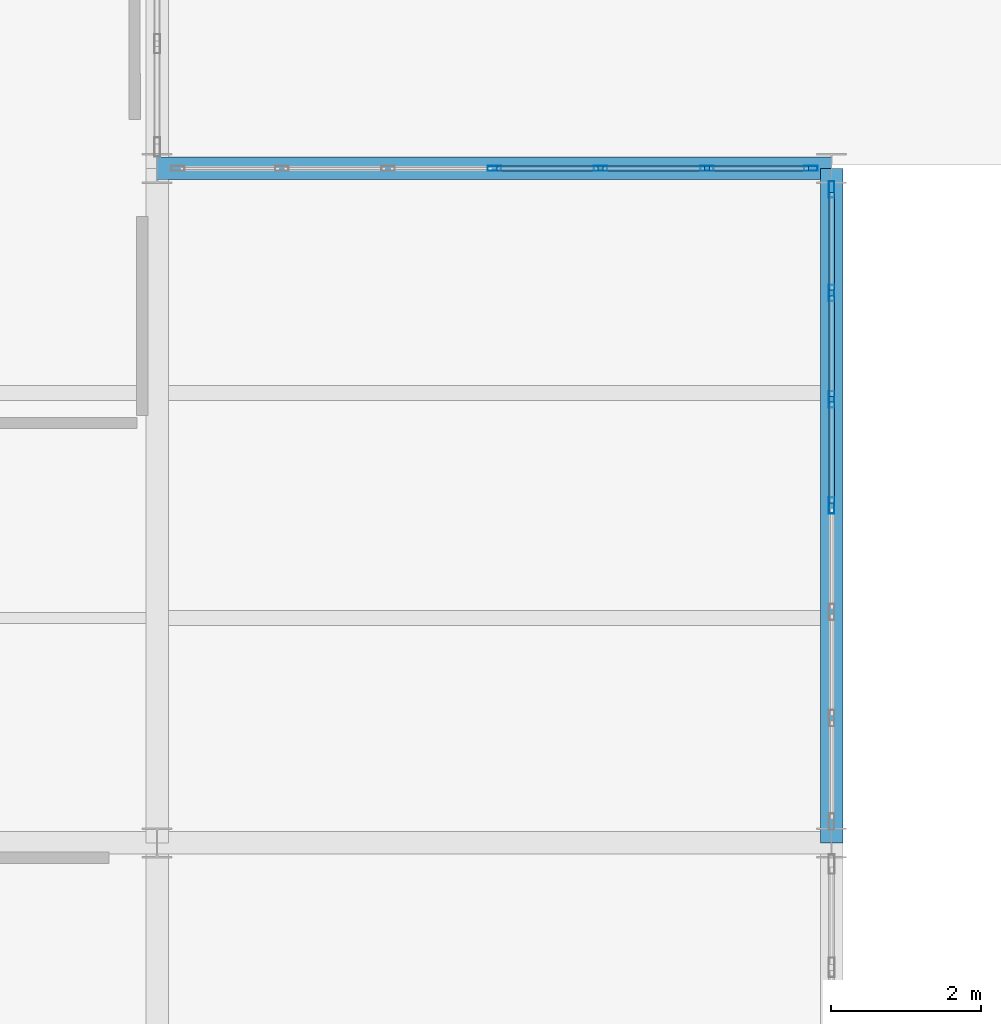
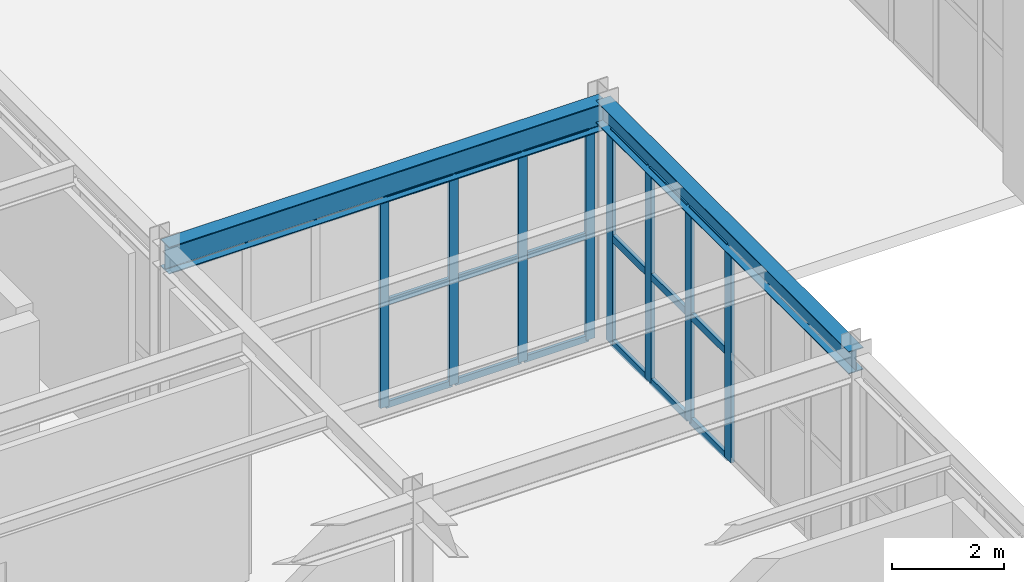
# One storey, part 34 of 140: 26 members, 2 beams, 2 elements without a shape of their own.
"""IFC4 building model written with IfcOpenShell, lengths in metres."""

from ifc_helpers import new_model, si_unit, direction, frame, origin, origin_2d, place, context, subcontext, project, spatial, hollow_rectangle, i_section, extrude, material, material_profile, profile_set, type_object, element, aggregate, save


model = new_model("IFC4")

# Units and contexts
model_context = context("Model", 3, precision=1e-05, world=origin(), true_north=direction((0.0, 1.0)))
body_context = subcontext(model_context, "Body", "Model", "MODEL_VIEW")
ifc_project = project(units=[si_unit("LENGTHUNIT", "METRE"), si_unit("AREAUNIT", "SQUARE_METRE"), si_unit("VOLUMEUNIT", "CUBIC_METRE"), si_unit("PLANEANGLEUNIT", "RADIAN"), si_unit("MASSUNIT", "GRAM", prefix="KILO")], contexts=[model_context])

# Site, building, storey
site_placement = place(None, origin())
site = spatial("IfcSite", under=ifc_project, at=site_placement, CompositionType="ELEMENT")
building_placement = place(site_placement, origin())
building = spatial("IfcBuilding", under=site, at=building_placement, Name="Haizhuo Lancet Aquarium", CompositionType="ELEMENT")
storey_placement = place(building_placement, origin())
storey = spatial("IfcBuildingStorey", under=building, at=storey_placement, Name="L00", CompositionType="ELEMENT", Elevation=0.0)

# Beams
ifc_material_1 = material(Name="Steel S355", Category="steel")
ifc_material_profile_1 = material_profile(ifc_material_1, i_section(OverallWidth=0.300048828125, OverallDepth=0.488037109375, WebThickness=0.010986328125, FlangeThickness=0.01806640625, FilletRadius=0.02392578125, at=origin_2d()), Name="HM 488x300x11x18")
ifc_profile_set_1 = profile_set([ifc_material_profile_1], Name="Steel S355")
beam_type_1 = type_object("IfcBeamType", Name="BM-ST-HM488", PredefinedType="BEAM", material=ifc_profile_set_1)
beam_1_placement = place(storey_placement, frame((18.0, -45.0, 4.8759765625), z_axis=(0.0, 1.0, 0.0), x_axis=(-1.0, 0.0, 0.0)))
element("IfcBeam", 1, at=beam_1_placement, inside=storey, type_object=beam_type_1, Name="L00 V4 primary girder BM-L00-V4-025", PredefinedType="BEAM", context=body_context, shape_type="SweptSolid", body=[
    extrude(i_section(OverallWidth=0.300048828125, OverallDepth=0.488037109375, WebThickness=0.010986328125, FlangeThickness=0.01806640625, FilletRadius=0.02392578125, at=origin_2d()), origin(), (0.0, 0.0, 1.0), 9.0),
])
ifc_material_profile_2 = material_profile(ifc_material_1, i_section(OverallWidth=0.300048828125, OverallDepth=0.587890625, WebThickness=0.011962890625, FlangeThickness=0.02001953125, FilletRadius=0.02587890625, at=origin_2d()), Name="HM 588x300x12x20")
ifc_profile_set_2 = profile_set([ifc_material_profile_2], Name="Steel S355")
beam_type_2 = type_object("IfcBeamType", Name="BM-ST-HM588", PredefinedType="BEAM", material=ifc_profile_set_2)
beam_2_placement = place(storey_placement, frame((9.0, -36.0, 4.825927734375), z_axis=(1.0, 0.0, 0.0), x_axis=(0.0, 1.0, 0.0)))
element("IfcBeam", 2, at=beam_2_placement, inside=storey, type_object=beam_type_2, Name="L00 V4 primary girder BM-L00-V4-023", PredefinedType="BEAM", context=body_context, shape_type="SweptSolid", body=[
    extrude(i_section(OverallWidth=0.300048828125, OverallDepth=0.587890625, WebThickness=0.011962890625, FlangeThickness=0.02001953125, FilletRadius=0.02587890625, at=origin_2d()), origin(), (0.0, 0.0, 1.0), 9.0),
])

# Curtain wall, members
ifc_material_2 = material(Name="Aluminium 6063-T6", Category="aluminium")
curtain_wall_type_1 = type_object("IfcCurtainWallType", Name="CWO-8510x4530", PredefinedType="NOTDEFINED", material=ifc_material_2)
curtain_wall_1_placement = place(storey_placement, origin())
curtain_wall_1 = element("IfcCurtainWall", 3, at=curtain_wall_1_placement, inside=storey, type_object=curtain_wall_type_1, Name="L00 curtain wall CW-V4-L00-085", PredefinedType="NOTDEFINED")
ifc_material_profile_3 = material_profile(ifc_material_2, hollow_rectangle(XDim=0.06494140625, YDim=0.179931640625, WallThickness=0.00390625, at=origin_2d()), Name="ALU-M 65x180x4")
ifc_profile_set_3 = profile_set([ifc_material_profile_3], Name="Aluminium 6063-T6")
member_type_1 = type_object("IfcMemberType", Name="CW-MUL-1", PredefinedType="MULLION", material=ifc_profile_set_3)
member_1_placement = place(storey_placement, frame((13.5, -36.0, 0.0), z_axis=(0.0, 0.0, 1.0), x_axis=(0.0, 1.0, 0.0)))
member_1 = element("IfcMember", 4, at=member_1_placement, type_object=member_type_1, Name="CWO-85x45 mullion 4", PredefinedType="MULLION", context=body_context, shape_type="SweptSolid", body=[
    extrude(hollow_rectangle(XDim=0.06494140625, YDim=0.179931640625, WallThickness=0.00390625, at=origin_2d()), origin(), (0.0, 0.0, 1.0), 4.531982421875),
])
member_2_placement = place(storey_placement, frame((14.91796875, -36.0, 0.0), z_axis=(0.0, 0.0, 1.0), x_axis=(0.0, 1.0, 0.0)))
member_2 = element("IfcMember", 5, at=member_2_placement, type_object=member_type_1, Name="CWO-85x45 mullion 5", PredefinedType="MULLION", context=body_context, shape_type="SweptSolid", body=[
    extrude(hollow_rectangle(XDim=0.06494140625, YDim=0.179931640625, WallThickness=0.00390625, at=origin_2d()), origin(), (0.0, 0.0, 1.0), 4.531982421875),
])
member_3_placement = place(storey_placement, frame((16.3369140625, -36.0, 0.0), z_axis=(0.0, 0.0, 1.0), x_axis=(0.0, 1.0, 0.0)))
member_3 = element("IfcMember", 6, at=member_3_placement, type_object=member_type_1, Name="CWO-85x45 mullion 6", PredefinedType="MULLION", context=body_context, shape_type="SweptSolid", body=[
    extrude(hollow_rectangle(XDim=0.06494140625, YDim=0.179931640625, WallThickness=0.00390625, at=origin_2d()), origin(), (0.0, 0.0, 1.0), 4.531982421875),
])
member_4_placement = place(storey_placement, frame((17.721923828125, -36.0, 0.0), z_axis=(0.0, 0.0, 1.0), x_axis=(0.0, 1.0, 0.0)))
member_4 = element("IfcMember", 7, at=member_4_placement, type_object=member_type_1, Name="CWO-85x45 mullion 7", PredefinedType="MULLION", context=body_context, shape_type="SweptSolid", body=[
    extrude(hollow_rectangle(XDim=0.06494140625, YDim=0.179931640625, WallThickness=0.00390625, at=origin_2d()), origin(), (0.0, 0.0, 1.0), 4.531982421875),
])

curtain_wall_type_2 = type_object("IfcCurtainWallType", Name="CWO-8510x4630", PredefinedType="NOTDEFINED", material=ifc_material_2)
curtain_wall_2_placement = place(storey_placement, origin())
curtain_wall_2 = element("IfcCurtainWall", 8, at=curtain_wall_2_placement, inside=storey, type_object=curtain_wall_type_2, Name="L00 curtain wall CW-V4-L00-086", PredefinedType="NOTDEFINED")
ifc_material_profile_4 = material_profile(ifc_material_2, hollow_rectangle(XDim=0.074951171875, YDim=0.219970703125, WallThickness=0.0048828125, at=origin_2d()), Name="ALU-M 75x220x5")
ifc_profile_set_4 = profile_set([ifc_material_profile_4], Name="Aluminium 6063-T6")
member_type_2 = type_object("IfcMemberType", Name="CW-MUL-2", PredefinedType="MULLION", material=ifc_profile_set_4)
member_5_placement = place(storey_placement, frame((18.0, -36.281982421875, 0.0), z_axis=(0.0, 0.0, 1.0), x_axis=(1.0, 0.0, 0.0)))
member_5 = element("IfcMember", 9, at=member_5_placement, type_object=member_type_2, Name="CWO-85x46 mullion 1", PredefinedType="MULLION", context=body_context, shape_type="SweptSolid", body=[
    extrude(hollow_rectangle(XDim=0.074951171875, YDim=0.219970703125, WallThickness=0.0048828125, at=origin_2d()), origin(), (0.0, 0.0, 1.0), 4.632080078125),
])
member_6_placement = place(storey_placement, frame((18.0, -37.6630859375, 0.0), z_axis=(0.0, 0.0, 1.0), x_axis=(1.0, 0.0, 0.0)))
member_6 = element("IfcMember", 10, at=member_6_placement, type_object=member_type_2, Name="CWO-85x46 mullion 2", PredefinedType="MULLION", context=body_context, shape_type="SweptSolid", body=[
    extrude(hollow_rectangle(XDim=0.074951171875, YDim=0.219970703125, WallThickness=0.0048828125, at=origin_2d()), origin(), (0.0, 0.0, 1.0), 4.632080078125),
])
member_7_placement = place(storey_placement, frame((18.0, -39.08203125, 0.0), z_axis=(0.0, 0.0, 1.0), x_axis=(1.0, 0.0, 0.0)))
member_7 = element("IfcMember", 11, at=member_7_placement, type_object=member_type_2, Name="CWO-85x46 mullion 3", PredefinedType="MULLION", context=body_context, shape_type="SweptSolid", body=[
    extrude(hollow_rectangle(XDim=0.074951171875, YDim=0.219970703125, WallThickness=0.0048828125, at=origin_2d()), origin(), (0.0, 0.0, 1.0), 4.632080078125),
])
member_8_placement = place(storey_placement, frame((18.0, -40.5, 0.0), z_axis=(0.0, 0.0, 1.0), x_axis=(1.0, 0.0, 0.0)))
member_8 = element("IfcMember", 12, at=member_8_placement, type_object=member_type_2, Name="CWO-85x46 mullion 4", PredefinedType="MULLION", context=body_context, shape_type="SweptSolid", body=[
    extrude(hollow_rectangle(XDim=0.074951171875, YDim=0.219970703125, WallThickness=0.0048828125, at=origin_2d()), origin(), (0.0, 0.0, 1.0), 4.632080078125),
])

# Member
ifc_material_profile_5 = material_profile(ifc_material_2, hollow_rectangle(XDim=0.06494140625, YDim=0.139892578125, WallThickness=0.00390625, at=origin_2d()), Name="ALU-T 65x140x4")
ifc_profile_set_5 = profile_set([ifc_material_profile_5], Name="Aluminium 6063-T6")
member_type_3 = type_object("IfcMemberType", Name="CW-TRN-1", PredefinedType="NOTDEFINED", material=ifc_profile_set_5)
member_9_placement = place(storey_placement, frame((13.531982421875, -36.0, 0.032958984375), z_axis=(1.0, 0.0, 0.0), x_axis=(0.0, 1.0, 0.0)))
member_9 = element("IfcMember", 13, at=member_9_placement, type_object=member_type_3, Name="CWO-85x45 transom 4.1", ObjectType="TRANSOM", PredefinedType="USERDEFINED", context=body_context, shape_type="SweptSolid", body=[
    extrude(hollow_rectangle(XDim=0.06494140625, YDim=0.139892578125, WallThickness=0.00390625, at=origin_2d()), origin(), (0.0, 0.0, 1.0), 1.35400390625),
])

member_10_placement = place(storey_placement, frame((13.531982421875, -36.0, 2.26611328125), z_axis=(1.0, 0.0, 0.0), x_axis=(0.0, 1.0, 0.0)))
member_10 = element("IfcMember", 14, at=member_10_placement, type_object=member_type_3, Name="CWO-85x45 transom 4.2", ObjectType="TRANSOM", PredefinedType="USERDEFINED", context=body_context, shape_type="SweptSolid", body=[
    extrude(hollow_rectangle(XDim=0.06494140625, YDim=0.139892578125, WallThickness=0.00390625, at=origin_2d()), origin(), (0.0, 0.0, 1.0), 1.35400390625),
])

member_11_placement = place(storey_placement, frame((13.531982421875, -36.0, 4.5), z_axis=(1.0, 0.0, 0.0), x_axis=(0.0, 1.0, 0.0)))
member_11 = element("IfcMember", 15, at=member_11_placement, type_object=member_type_3, Name="CWO-85x45 transom 4.3", ObjectType="TRANSOM", PredefinedType="USERDEFINED", context=body_context, shape_type="SweptSolid", body=[
    extrude(hollow_rectangle(XDim=0.06494140625, YDim=0.139892578125, WallThickness=0.00390625, at=origin_2d()), origin(), (0.0, 0.0, 1.0), 1.35400390625),
])

member_12_placement = place(storey_placement, frame((14.950927734375, -36.0, 0.032958984375), z_axis=(1.0, 0.0, 0.0), x_axis=(0.0, 1.0, 0.0)))
member_12 = element("IfcMember", 16, at=member_12_placement, type_object=member_type_3, Name="CWO-85x45 transom 5.1", ObjectType="TRANSOM", PredefinedType="USERDEFINED", context=body_context, shape_type="SweptSolid", body=[
    extrude(hollow_rectangle(XDim=0.06494140625, YDim=0.139892578125, WallThickness=0.00390625, at=origin_2d()), origin(), (0.0, 0.0, 1.0), 1.35302734375),
])

member_13_placement = place(storey_placement, frame((14.950927734375, -36.0, 2.26611328125), z_axis=(1.0, 0.0, 0.0), x_axis=(0.0, 1.0, 0.0)))
member_13 = element("IfcMember", 17, at=member_13_placement, type_object=member_type_3, Name="CWO-85x45 transom 5.2", ObjectType="TRANSOM", PredefinedType="USERDEFINED", context=body_context, shape_type="SweptSolid", body=[
    extrude(hollow_rectangle(XDim=0.06494140625, YDim=0.139892578125, WallThickness=0.00390625, at=origin_2d()), origin(), (0.0, 0.0, 1.0), 1.35302734375),
])

member_14_placement = place(storey_placement, frame((14.950927734375, -36.0, 4.5), z_axis=(1.0, 0.0, 0.0), x_axis=(0.0, 1.0, 0.0)))
member_14 = element("IfcMember", 18, at=member_14_placement, type_object=member_type_3, Name="CWO-85x45 transom 5.3", ObjectType="TRANSOM", PredefinedType="USERDEFINED", context=body_context, shape_type="SweptSolid", body=[
    extrude(hollow_rectangle(XDim=0.06494140625, YDim=0.139892578125, WallThickness=0.00390625, at=origin_2d()), origin(), (0.0, 0.0, 1.0), 1.35302734375),
])

member_15_placement = place(storey_placement, frame((16.368896484375, -36.0, 0.032958984375), z_axis=(1.0, 0.0, 0.0), x_axis=(0.0, 1.0, 0.0)))
member_15 = element("IfcMember", 19, at=member_15_placement, type_object=member_type_3, Name="CWO-85x45 transom 6.1", ObjectType="TRANSOM", PredefinedType="USERDEFINED", context=body_context, shape_type="SweptSolid", body=[
    extrude(hollow_rectangle(XDim=0.06494140625, YDim=0.139892578125, WallThickness=0.00390625, at=origin_2d()), origin(), (0.0, 0.0, 1.0), 1.321044921875),
])

member_16_placement = place(storey_placement, frame((16.368896484375, -36.0, 2.26611328125), z_axis=(1.0, 0.0, 0.0), x_axis=(0.0, 1.0, 0.0)))
member_16 = element("IfcMember", 20, at=member_16_placement, type_object=member_type_3, Name="CWO-85x45 transom 6.2", ObjectType="TRANSOM", PredefinedType="USERDEFINED", context=body_context, shape_type="SweptSolid", body=[
    extrude(hollow_rectangle(XDim=0.06494140625, YDim=0.139892578125, WallThickness=0.00390625, at=origin_2d()), origin(), (0.0, 0.0, 1.0), 1.321044921875),
])

member_17_placement = place(storey_placement, frame((16.368896484375, -36.0, 4.5), z_axis=(1.0, 0.0, 0.0), x_axis=(0.0, 1.0, 0.0)))
member_17 = element("IfcMember", 21, at=member_17_placement, type_object=member_type_3, Name="CWO-85x45 transom 6.3", ObjectType="TRANSOM", PredefinedType="USERDEFINED", context=body_context, shape_type="SweptSolid", body=[
    extrude(hollow_rectangle(XDim=0.06494140625, YDim=0.139892578125, WallThickness=0.00390625, at=origin_2d()), origin(), (0.0, 0.0, 1.0), 1.321044921875),
])

aggregate(curtain_wall_1, [member_1, member_2, member_3, member_4, member_9, member_10, member_11, member_12, member_13, member_14, member_15, member_16, member_17])

ifc_material_profile_6 = material_profile(ifc_material_2, hollow_rectangle(XDim=0.074951171875, YDim=0.159912109375, WallThickness=0.00390625, at=origin_2d()), Name="ALU-T 75x160x4")
ifc_profile_set_6 = profile_set([ifc_material_profile_6], Name="Aluminium 6063-T6")
member_type_4 = type_object("IfcMemberType", Name="CW-TRN-2", PredefinedType="NOTDEFINED", material=ifc_profile_set_6)
member_18_placement = place(storey_placement, frame((18.0, -36.320068359375, 0.037109375), z_axis=(0.0, -1.0, 0.0), x_axis=(1.0, 0.0, 0.0)))
member_18 = element("IfcMember", 22, at=member_18_placement, type_object=member_type_4, Name="CWO-85x46 transom 1.1", ObjectType="TRANSOM", PredefinedType="USERDEFINED", context=body_context, shape_type="SweptSolid", body=[
    extrude(hollow_rectangle(XDim=0.074951171875, YDim=0.159912109375, WallThickness=0.00390625, at=origin_2d()), origin(), (0.0, 0.0, 1.0), 1.305908203125),
])

member_19_placement = place(storey_placement, frame((18.0, -36.320068359375, 2.31591796875), z_axis=(0.0, -1.0, 0.0), x_axis=(1.0, 0.0, 0.0)))
member_19 = element("IfcMember", 23, at=member_19_placement, type_object=member_type_4, Name="CWO-85x46 transom 1.2", ObjectType="TRANSOM", PredefinedType="USERDEFINED", context=body_context, shape_type="SweptSolid", body=[
    extrude(hollow_rectangle(XDim=0.074951171875, YDim=0.159912109375, WallThickness=0.00390625, at=origin_2d()), origin(), (0.0, 0.0, 1.0), 1.305908203125),
])

member_20_placement = place(storey_placement, frame((18.0, -36.320068359375, 4.594970703125), z_axis=(0.0, -1.0, 0.0), x_axis=(1.0, 0.0, 0.0)))
member_20 = element("IfcMember", 24, at=member_20_placement, type_object=member_type_4, Name="CWO-85x46 transom 1.3", ObjectType="TRANSOM", PredefinedType="USERDEFINED", context=body_context, shape_type="SweptSolid", body=[
    extrude(hollow_rectangle(XDim=0.074951171875, YDim=0.159912109375, WallThickness=0.00390625, at=origin_2d()), origin(), (0.0, 0.0, 1.0), 1.305908203125),
])

member_21_placement = place(storey_placement, frame((18.0, -37.700927734375, 0.037109375), z_axis=(0.0, -1.0, 0.0), x_axis=(1.0, 0.0, 0.0)))
member_21 = element("IfcMember", 25, at=member_21_placement, type_object=member_type_4, Name="CWO-85x46 transom 2.1", ObjectType="TRANSOM", PredefinedType="USERDEFINED", context=body_context, shape_type="SweptSolid", body=[
    extrude(hollow_rectangle(XDim=0.074951171875, YDim=0.159912109375, WallThickness=0.00390625, at=origin_2d()), origin(), (0.0, 0.0, 1.0), 1.343017578125),
])

member_22_placement = place(storey_placement, frame((18.0, -37.700927734375, 2.31591796875), z_axis=(0.0, -1.0, 0.0), x_axis=(1.0, 0.0, 0.0)))
member_22 = element("IfcMember", 26, at=member_22_placement, type_object=member_type_4, Name="CWO-85x46 transom 2.2", ObjectType="TRANSOM", PredefinedType="USERDEFINED", context=body_context, shape_type="SweptSolid", body=[
    extrude(hollow_rectangle(XDim=0.074951171875, YDim=0.159912109375, WallThickness=0.00390625, at=origin_2d()), origin(), (0.0, 0.0, 1.0), 1.343017578125),
])

member_23_placement = place(storey_placement, frame((18.0, -37.700927734375, 4.594970703125), z_axis=(0.0, -1.0, 0.0), x_axis=(1.0, 0.0, 0.0)))
member_23 = element("IfcMember", 27, at=member_23_placement, type_object=member_type_4, Name="CWO-85x46 transom 2.3", ObjectType="TRANSOM", PredefinedType="USERDEFINED", context=body_context, shape_type="SweptSolid", body=[
    extrude(hollow_rectangle(XDim=0.074951171875, YDim=0.159912109375, WallThickness=0.00390625, at=origin_2d()), origin(), (0.0, 0.0, 1.0), 1.343017578125),
])

member_24_placement = place(storey_placement, frame((18.0, -39.118896484375, 0.037109375), z_axis=(0.0, -1.0, 0.0), x_axis=(1.0, 0.0, 0.0)))
member_24 = element("IfcMember", 28, at=member_24_placement, type_object=member_type_4, Name="CWO-85x46 transom 3.1", ObjectType="TRANSOM", PredefinedType="USERDEFINED", context=body_context, shape_type="SweptSolid", body=[
    extrude(hollow_rectangle(XDim=0.074951171875, YDim=0.159912109375, WallThickness=0.00390625, at=origin_2d()), origin(), (0.0, 0.0, 1.0), 1.343017578125),
])

member_25_placement = place(storey_placement, frame((18.0, -39.118896484375, 2.31591796875), z_axis=(0.0, -1.0, 0.0), x_axis=(1.0, 0.0, 0.0)))
member_25 = element("IfcMember", 29, at=member_25_placement, type_object=member_type_4, Name="CWO-85x46 transom 3.2", ObjectType="TRANSOM", PredefinedType="USERDEFINED", context=body_context, shape_type="SweptSolid", body=[
    extrude(hollow_rectangle(XDim=0.074951171875, YDim=0.159912109375, WallThickness=0.00390625, at=origin_2d()), origin(), (0.0, 0.0, 1.0), 1.343017578125),
])

member_26_placement = place(storey_placement, frame((18.0, -39.118896484375, 4.594970703125), z_axis=(0.0, -1.0, 0.0), x_axis=(1.0, 0.0, 0.0)))
member_26 = element("IfcMember", 30, at=member_26_placement, type_object=member_type_4, Name="CWO-85x46 transom 3.3", ObjectType="TRANSOM", PredefinedType="USERDEFINED", context=body_context, shape_type="SweptSolid", body=[
    extrude(hollow_rectangle(XDim=0.074951171875, YDim=0.159912109375, WallThickness=0.00390625, at=origin_2d()), origin(), (0.0, 0.0, 1.0), 1.343017578125),
])

aggregate(curtain_wall_2, [member_5, member_6, member_7, member_8, member_18, member_19, member_20, member_21, member_22, member_23, member_24, member_25, member_26])

save(model, "model.ifc")
